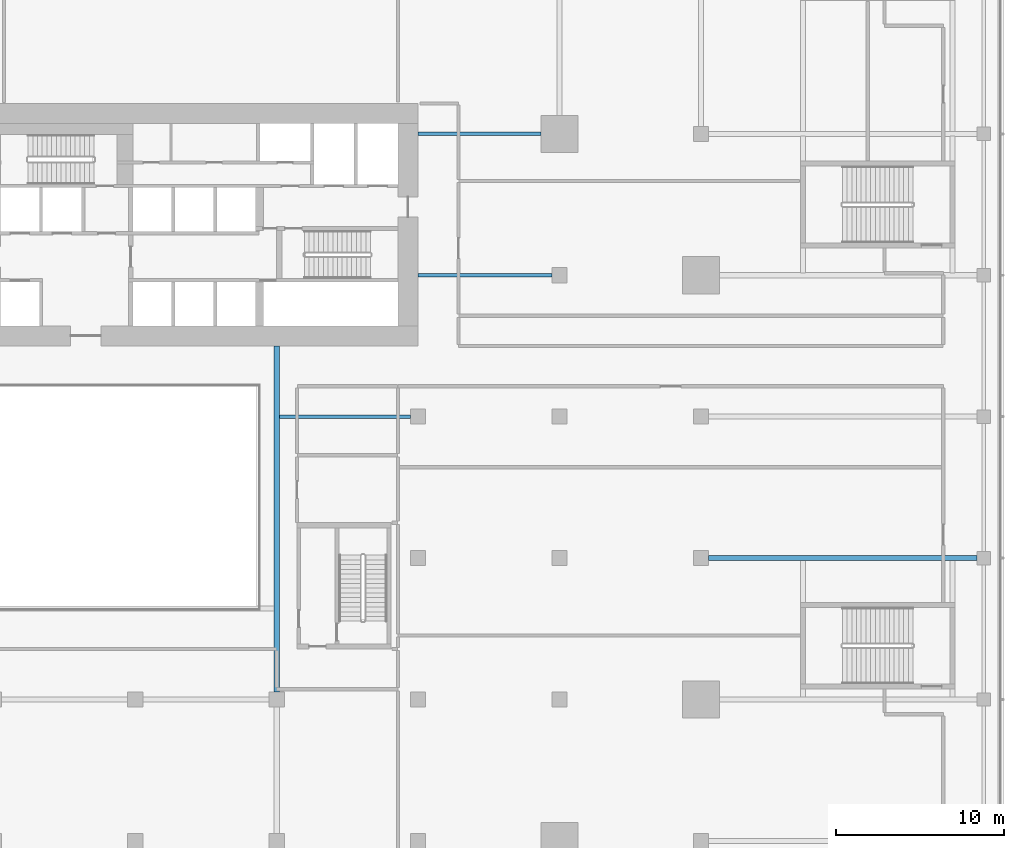
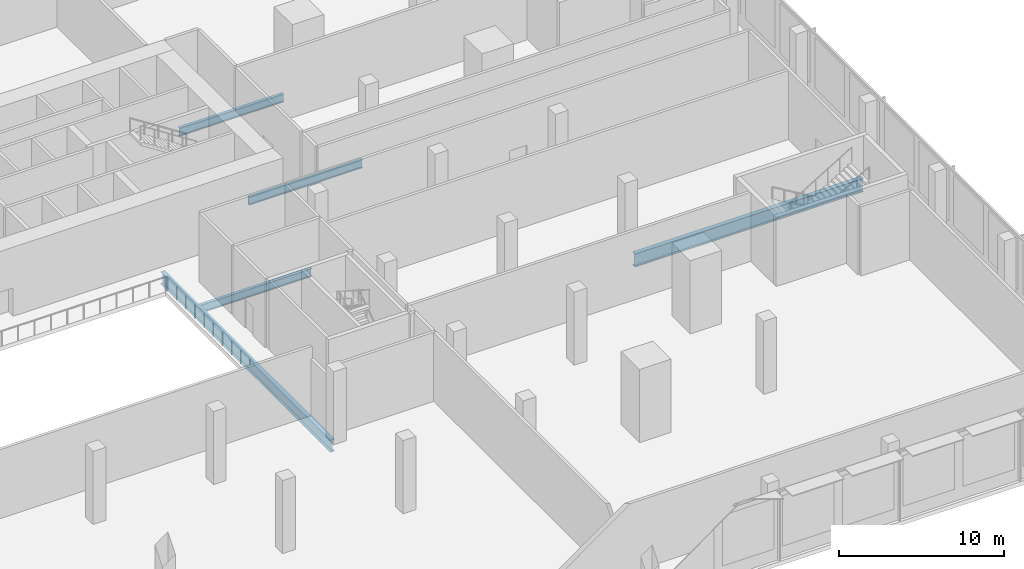
# One storey, part 13 of 39: 5 beams.
"""IFC4 building model written with IfcOpenShell, lengths in metres."""

from ifc_helpers import new_model, si_unit, direction, frame, origin, origin_2d, place, context, subcontext, project, spatial, i_section, extrude, material, material_profile, profile_set, type_object, element, save


model = new_model("IFC4")

# Units and contexts
model_context = context("Model", 3, precision=1e-05, world=origin(), true_north=direction((0.0, 1.0)))
body_context = subcontext(model_context, "Body", "Model", "MODEL_VIEW")
ifc_project = project(units=[si_unit("LENGTHUNIT", "METRE"), si_unit("AREAUNIT", "SQUARE_METRE"), si_unit("VOLUMEUNIT", "CUBIC_METRE"), si_unit("PLANEANGLEUNIT", "RADIAN"), si_unit("MASSUNIT", "GRAM", prefix="KILO")], contexts=[model_context])

# Site, building, storey
site_placement = place(None, origin())
site = spatial("IfcSite", under=ifc_project, at=site_placement, CompositionType="ELEMENT")
building_placement = place(site_placement, origin())
building = spatial("IfcBuilding", under=site, at=building_placement, Name="Saffron Gate Tower", CompositionType="ELEMENT")
storey_placement = place(building_placement, frame((0.0, 0.0, 9.0)))
storey = spatial("IfcBuildingStorey", under=building, at=storey_placement, Name="L01", CompositionType="ELEMENT", Elevation=9.0)

# Beams
ifc_material = material(Name="Structural steel S355", Category="steel")
ifc_material_profile_1 = material_profile(ifc_material, i_section(OverallWidth=0.219970703125, OverallDepth=0.60009765625, WebThickness=0.011962890625, FlangeThickness=0.01904296875, FilletRadius=0.02392578125, at=origin_2d()))
ifc_profile_set_1 = profile_set([ifc_material_profile_1], Name="Structural steel S355")
beam_type_1 = type_object("IfcBeamType", Name="B15 IPE 600", PredefinedType="BEAM", material=ifc_profile_set_1)
beam_1_placement = place(storey_placement, frame((108.14990234375, 57.0, -0.60009765625), z_axis=(-1.0, 0.0, 0.0), x_axis=(0.0, -1.0, 0.0)))
element("IfcBeam", 1, at=beam_1_placement, inside=storey, type_object=beam_type_1, Name="B15 CORE TIE BEAM", PredefinedType="BEAM", context=body_context, shape_type="SweptSolid", body=[
    extrude(i_section(OverallWidth=0.219970703125, OverallDepth=0.60009765625, WebThickness=0.011962890625, FlangeThickness=0.01904296875, FilletRadius=0.02392578125, at=origin_2d()), origin(), (0.0, 0.0, 1.0), 7.7998046875),
])
beam_2_placement = place(storey_placement, frame((116.550048828125, 65.39990234375, -0.60009765625), z_axis=(-1.0, 0.0, 0.0), x_axis=(0.0, -1.0, 0.0)))
element("IfcBeam", 2, at=beam_2_placement, inside=storey, type_object=beam_type_1, Name="B15 CORE TIE BEAM", PredefinedType="BEAM", context=body_context, shape_type="SweptSolid", body=[
    extrude(i_section(OverallWidth=0.219970703125, OverallDepth=0.60009765625, WebThickness=0.011962890625, FlangeThickness=0.01904296875, FilletRadius=0.02392578125, at=origin_2d()), origin(), (0.0, 0.0, 1.0), 7.949951171875),
])
beam_3_placement = place(storey_placement, frame((115.89990234375, 73.800048828125, -0.60009765625), z_axis=(-1.0, 0.0, 0.0), x_axis=(0.0, -1.0, 0.0)))
element("IfcBeam", 3, at=beam_3_placement, inside=storey, type_object=beam_type_1, Name="B15 CORE TIE BEAM", PredefinedType="BEAM", context=body_context, shape_type="SweptSolid", body=[
    extrude(i_section(OverallWidth=0.219970703125, OverallDepth=0.60009765625, WebThickness=0.011962890625, FlangeThickness=0.01904296875, FilletRadius=0.02392578125, at=origin_2d()), origin(), (0.0, 0.0, 1.0), 7.2998046875),
])
ifc_material_profile_2 = material_profile(ifc_material, i_section(OverallWidth=0.300048828125, OverallDepth=0.89990234375, WebThickness=0.0185546875, FlangeThickness=0.034912109375, FilletRadius=0.030029296875, at=origin_2d()))
ifc_profile_set_2 = profile_set([ifc_material_profile_2], Name="Structural steel S355")
beam_type_2 = type_object("IfcBeamType", Name="B20 HEB 900", PredefinedType="BEAM", material=ifc_profile_set_2)
beam_4_placement = place(storey_placement, frame((100.199951171875, 40.64990234375, -0.75), z_axis=(0.0, 1.0, 0.0), x_axis=(-1.0, 0.0, 0.0)))
element("IfcBeam", 4, at=beam_4_placement, inside=storey, type_object=beam_type_2, Name="B20 ATRIUM GIRDER", PredefinedType="BEAM", context=body_context, shape_type="SweptSolid", body=[
    extrude(i_section(OverallWidth=0.300048828125, OverallDepth=0.89990234375, WebThickness=0.0185546875, FlangeThickness=0.034912109375, FilletRadius=0.030029296875, at=origin_2d()), origin(), (0.0, 0.0, 1.0), 20.550048828125),
])
ifc_material_profile_3 = material_profile(ifc_material, i_section(OverallWidth=0.300048828125, OverallDepth=0.989990234375, WebThickness=0.0166015625, FlangeThickness=0.031005859375, FilletRadius=0.030029296875, at=origin_2d()))
ifc_profile_set_3 = profile_set([ifc_material_profile_3], Name="Structural steel S355")
beam_type_3 = type_object("IfcBeamType", Name="B21 HEA 1000", PredefinedType="BEAM", material=ifc_profile_set_3)
beam_5_placement = place(storey_placement, frame((141.800048828125, 48.60009765625, -0.794921875), z_axis=(-1.0, 0.0, 0.0), x_axis=(0.0, -1.0, 0.0)))
element("IfcBeam", 5, at=beam_5_placement, inside=storey, type_object=beam_type_3, Name="B21 PODIUM RING GIRDER", PredefinedType="BEAM", context=body_context, shape_type="SweptSolid", body=[
    extrude(i_section(OverallWidth=0.300048828125, OverallDepth=0.989990234375, WebThickness=0.0166015625, FlangeThickness=0.031005859375, FilletRadius=0.030029296875, at=origin_2d()), origin(), (0.0, 0.0, 1.0), 15.949951171875),
])

save(model, "model.ifc")
